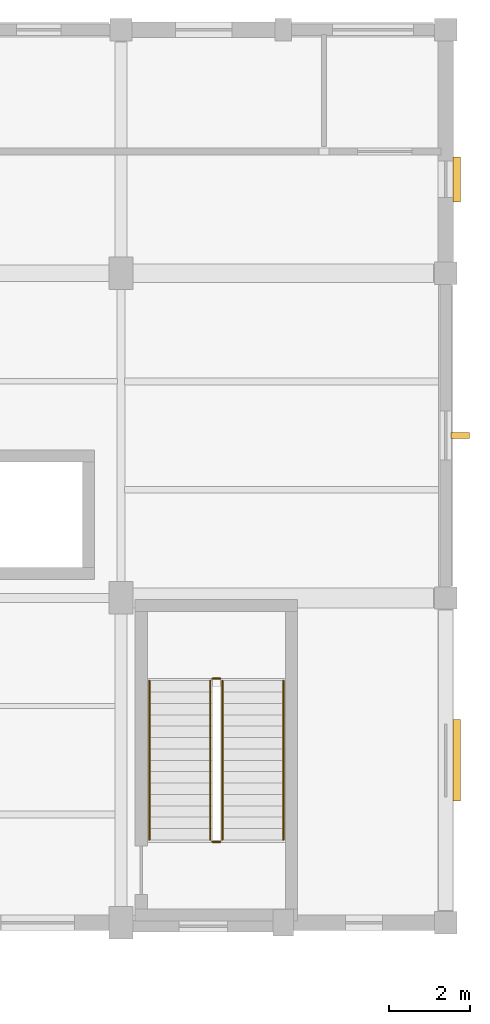
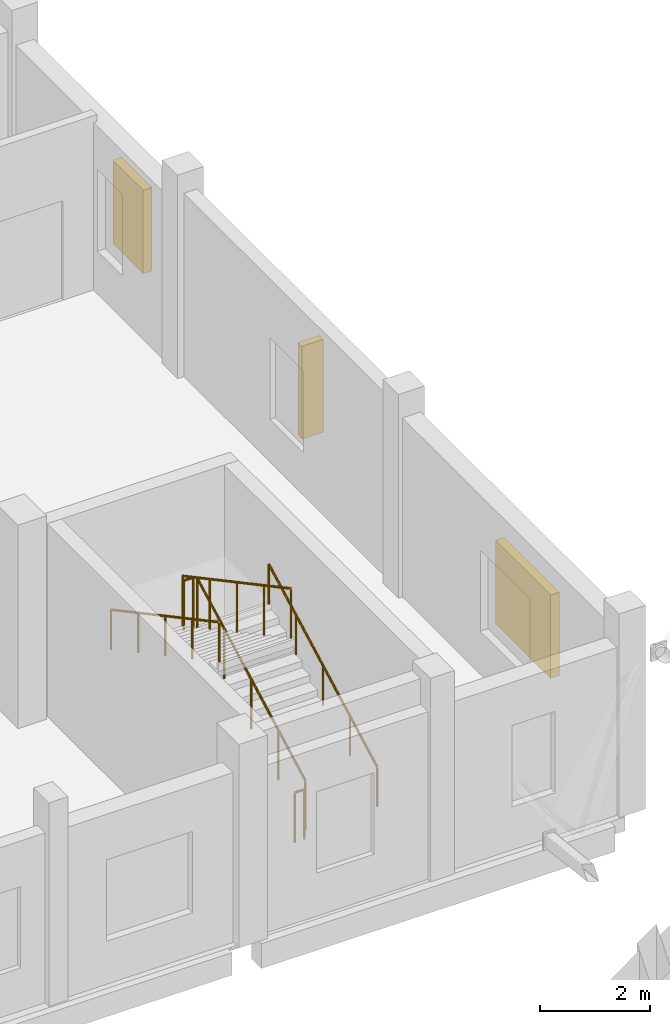
# One storey, part 76 of 77: 6 railings, 3 shading devices.
"""IFC4 building model written with IfcOpenShell, lengths in metres."""

from ifc_helpers import new_model, si_unit, direction, frame, origin, origin_2d, place, context, subcontext, project, spatial, rectangle, circle, extrude, material, type_object, element, save


model = new_model("IFC4")

# Units and contexts
model_context = context("Model", 3, precision=1e-05, world=origin(), true_north=direction((0.0, 1.0)))
body_context = subcontext(model_context, "Body", "Model", "MODEL_VIEW")
ifc_project = project(units=[si_unit("LENGTHUNIT", "METRE"), si_unit("AREAUNIT", "SQUARE_METRE"), si_unit("VOLUMEUNIT", "CUBIC_METRE"), si_unit("PLANEANGLEUNIT", "RADIAN"), si_unit("MASSUNIT", "GRAM", prefix="KILO")], contexts=[model_context])

# Site, building, storey
site_placement = place(None, origin())
site = spatial("IfcSite", under=ifc_project, at=site_placement, CompositionType="ELEMENT")
building_placement = place(site_placement, origin())
building = spatial("IfcBuilding", under=site, at=building_placement, Name="Luwemba Playhouse", CompositionType="ELEMENT")
storey_placement = place(building_placement, frame((0.0, 0.0, 9.300048828125)))
storey = spatial("IfcBuildingStorey", under=building, at=storey_placement, Name="L02", CompositionType="ELEMENT", Elevation=9.300048828125)

# Railings
ifc_material_1 = material(Name="Painted wrought-iron gallery balustrade", Category="steel")
railing_type_1 = type_object("IfcRailingType", Name="RLG-BAL-INT", PredefinedType="BALUSTRADE", material=ifc_material_1)
railing_1_placement = place(storey_placement, frame((166.5, 70.0400390625, 0.14990234375)))
element("IfcRailing", 1, at=railing_1_placement, inside=storey, type_object=railing_type_1, Name="L02 ST-07 stair guard 1", PredefinedType="BALUSTRADE", context=body_context, shape_type="SweptSolid", body=[
    extrude(circle(Radius=0.02392578125, at=origin_2d()), frame((0.0, 0.0, 1.09619140625), z_axis=(0.0, 0.881466911329, 0.472245787945), x_axis=(-1.0, 0.0, 0.0)), (0.0, 0.0, 1.0), 4.447021484375),
    extrude(circle(Radius=0.02099609375, at=origin_2d()), origin(), (0.0, 0.0, 1.0), 1.072021484375),
    extrude(circle(Radius=0.02099609375, at=origin_2d()), frame((0.0, 0.97998046875, 0.52490234375)), (0.0, 0.0, 1.0), 1.072021484375),
    extrude(circle(Radius=0.02099609375, at=origin_2d()), frame((0.0, 1.9599609375, 1.050048828125)), (0.0, 0.0, 1.0), 1.072021484375),
    extrude(circle(Radius=0.02099609375, at=origin_2d()), frame((0.0, 2.93994140625, 1.5751953125)), (0.0, 0.0, 1.0), 1.072021484375),
    extrude(circle(Radius=0.02099609375, at=origin_2d()), frame((0.0, 3.919921875, 2.10009765625)), (0.0, 0.0, 1.0), 1.072021484375),
])
railing_2_placement = place(storey_placement, frame((166.449951171875, 74.010009765625, 2.25)))
element("IfcRailing", 2, at=railing_2_placement, inside=storey, type_object=railing_type_1, Name="L02 ST-07 stair guard 2", PredefinedType="BALUSTRADE", context=body_context, shape_type="SweptSolid", body=[
    extrude(circle(Radius=0.02392578125, at=origin_2d()), frame((0.0, 0.0, 1.09619140625), z_axis=(-1.0, 0.0, 0.0), x_axis=(0.0, -1.0, 0.0)), (0.0, 0.0, 1.0), 0.199951171875),
    extrude(circle(Radius=0.02099609375, at=origin_2d()), origin(), (0.0, 0.0, 1.0), 1.072021484375),
    extrude(circle(Radius=0.02099609375, at=origin_2d()), frame((-0.199951171875, 0.0, 0.0)), (0.0, 0.0, 1.0), 1.072021484375),
])
railing_3_placement = place(storey_placement, frame((166.199951171875, 73.9599609375, 2.39990234375)))
element("IfcRailing", 3, at=railing_3_placement, inside=storey, type_object=railing_type_1, Name="L02 ST-07 stair guard 3", PredefinedType="BALUSTRADE", context=body_context, shape_type="SweptSolid", body=[
    extrude(circle(Radius=0.02392578125, at=origin_2d()), frame((0.0, 0.0, 1.09619140625), z_axis=(0.0, -0.881466911329, 0.472245787945), x_axis=(1.0, 0.0, 0.0)), (0.0, 0.0, 1.0), 4.447021484375),
    extrude(circle(Radius=0.02099609375, at=origin_2d()), origin(), (0.0, 0.0, 1.0), 1.072021484375),
    extrude(circle(Radius=0.02099609375, at=origin_2d()), frame((0.0, -0.97998046875, 0.52490234375)), (0.0, 0.0, 1.0), 1.072021484375),
    extrude(circle(Radius=0.02099609375, at=origin_2d()), frame((0.0, -1.9599609375, 1.050048828125)), (0.0, 0.0, 1.0), 1.072021484375),
    extrude(circle(Radius=0.02099609375, at=origin_2d()), frame((0.0, -2.93994140625, 1.5751953125)), (0.0, 0.0, 1.0), 1.072021484375),
    extrude(circle(Radius=0.02099609375, at=origin_2d()), frame((0.0, -3.919921875, 2.10009765625)), (0.0, 0.0, 1.0), 1.072021484375),
])
railing_4_placement = place(storey_placement, frame((166.449951171875, 69.989990234375, 0.0)))
element("IfcRailing", 4, at=railing_4_placement, inside=storey, type_object=railing_type_1, Name="L02 ST-07 stair guard 4", PredefinedType="BALUSTRADE", context=body_context, shape_type="SweptSolid", body=[
    extrude(circle(Radius=0.02392578125, at=origin_2d()), frame((0.0, 0.0, 1.09619140625), z_axis=(-1.0, 0.0, 0.0), x_axis=(0.0, -1.0, 0.0)), (0.0, 0.0, 1.0), 0.199951171875),
    extrude(circle(Radius=0.02099609375, at=origin_2d()), origin(), (0.0, 0.0, 1.0), 1.072021484375),
    extrude(circle(Radius=0.02099609375, at=origin_2d()), frame((-0.199951171875, 0.0, 0.0)), (0.0, 0.0, 1.0), 1.072021484375),
])
ifc_material_2 = material(Name="Hardwood and bronze handrail", Category="wood")
railing_type_2 = type_object("IfcRailingType", Name="RLG-HR-INT", PredefinedType="HANDRAIL", material=ifc_material_2)
railing_5_placement = place(storey_placement, frame((168.0, 70.0400390625, 0.14990234375)))
element("IfcRailing", 5, at=railing_5_placement, inside=storey, type_object=railing_type_2, Name="L02 ST-07 stair handrail 1", PredefinedType="HANDRAIL", context=body_context, shape_type="SweptSolid", body=[
    extrude(circle(Radius=0.02392578125, at=origin_2d()), frame((0.0, 0.0, 0.8759765625), z_axis=(0.0, 0.881466911329, 0.472245787945), x_axis=(-1.0, 0.0, 0.0)), (0.0, 0.0, 1.0), 4.447021484375),
    extrude(circle(Radius=0.02099609375, at=origin_2d()), origin(), (0.0, 0.0, 1.0), 0.851806640625),
    extrude(circle(Radius=0.02099609375, at=origin_2d()), frame((0.0, 0.97998046875, 0.52490234375)), (0.0, 0.0, 1.0), 0.851806640625),
    extrude(circle(Radius=0.02099609375, at=origin_2d()), frame((0.0, 1.9599609375, 1.050048828125)), (0.0, 0.0, 1.0), 0.851806640625),
    extrude(circle(Radius=0.02099609375, at=origin_2d()), frame((0.0, 2.93994140625, 1.5751953125)), (0.0, 0.0, 1.0), 0.851806640625),
    extrude(circle(Radius=0.02099609375, at=origin_2d()), frame((0.0, 3.919921875, 2.10009765625)), (0.0, 0.0, 1.0), 0.851806640625),
])
railing_6_placement = place(storey_placement, frame((164.699951171875, 73.9599609375, 2.39990234375)))
element("IfcRailing", 6, at=railing_6_placement, inside=storey, type_object=railing_type_2, Name="L02 ST-07 stair handrail 2", PredefinedType="HANDRAIL", context=body_context, shape_type="SweptSolid", body=[
    extrude(circle(Radius=0.02392578125, at=origin_2d()), frame((0.0, 0.0, 0.8759765625), z_axis=(0.0, -0.881466911329, 0.472245787945), x_axis=(1.0, 0.0, 0.0)), (0.0, 0.0, 1.0), 4.447021484375),
    extrude(circle(Radius=0.02099609375, at=origin_2d()), origin(), (0.0, 0.0, 1.0), 0.851806640625),
    extrude(circle(Radius=0.02099609375, at=origin_2d()), frame((0.0, -0.97998046875, 0.52490234375)), (0.0, 0.0, 1.0), 0.851806640625),
    extrude(circle(Radius=0.02099609375, at=origin_2d()), frame((0.0, -1.9599609375, 1.050048828125)), (0.0, 0.0, 1.0), 0.851806640625),
    extrude(circle(Radius=0.02099609375, at=origin_2d()), frame((0.0, -2.93994140625, 1.5751953125)), (0.0, 0.0, 1.0), 0.851806640625),
    extrude(circle(Radius=0.02099609375, at=origin_2d()), frame((0.0, -3.919921875, 2.10009765625)), (0.0, 0.0, 1.0), 0.851806640625),
])

# Shading devices
ifc_material_3 = material(Name="Extruded terracotta brise-soleil fin on steel bracket", Category="masonry")
shading_device_type_1 = type_object("IfcShadingDeviceType", Name="SHD-BRISE", PredefinedType="USERDEFINED", material=ifc_material_3)
shading_device_1_placement = place(storey_placement, frame((172.360107421875, 80.0, 0.82470703125), z_axis=(0.0, 0.0, 1.0), x_axis=(0.0, -1.0, 0.0)))
element("IfcShadingDevice", 7, at=shading_device_1_placement, inside=storey, type_object=shading_device_type_1, Name="L02 terracotta brise-soleil fin 059", ObjectType="TERRACOTTA BRISE SOLEIL", PredefinedType="USERDEFINED", context=body_context, shape_type="SweptSolid", body=[
    extrude(rectangle(XDim=0.139892578125, YDim=0.449951171875, at=origin_2d()), origin(), (0.0, 0.0, 1.0), 2.050048828125),
])
ifc_material_4 = material(Name="Kiln-fired terracotta gelosia louvre screen", Category="masonry")
shading_device_type_2 = type_object("IfcShadingDeviceType", Name="SHD-GELOSIA", PredefinedType="JALOUSIE", material=ifc_material_4)
shading_device_2_placement = place(storey_placement, frame((172.27490234375, 86.31005859375, 0.9248046875), z_axis=(0.0, 0.0, 1.0), x_axis=(0.0, -1.0, 0.0)))
element("IfcShadingDevice", 8, at=shading_device_2_placement, inside=storey, type_object=shading_device_type_2, Name="L02 fired-clay gelosia screen 058", PredefinedType="JALOUSIE", context=body_context, shape_type="SweptSolid", body=[
    extrude(rectangle(XDim=1.10009765625, YDim=0.179931640625, at=origin_2d()), origin(), (0.0, 0.0, 1.0), 1.85009765625),
])
shading_device_3_placement = place(storey_placement, frame((172.27490234375, 72.0, 0.9248046875), z_axis=(0.0, 0.0, 1.0), x_axis=(0.0, -1.0, 0.0)))
element("IfcShadingDevice", 9, at=shading_device_3_placement, inside=storey, type_object=shading_device_type_2, Name="L02 fired-clay gelosia screen 060", PredefinedType="JALOUSIE", context=body_context, shape_type="SweptSolid", body=[
    extrude(rectangle(XDim=2.0, YDim=0.179931640625, at=origin_2d()), origin(), (0.0, 0.0, 1.0), 1.85009765625),
])

save(model, "model.ifc")
